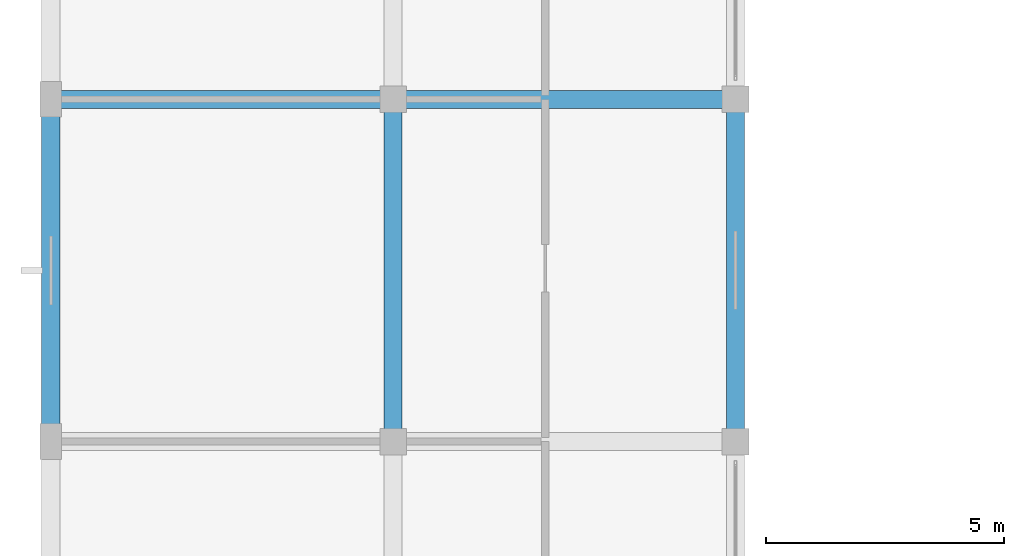
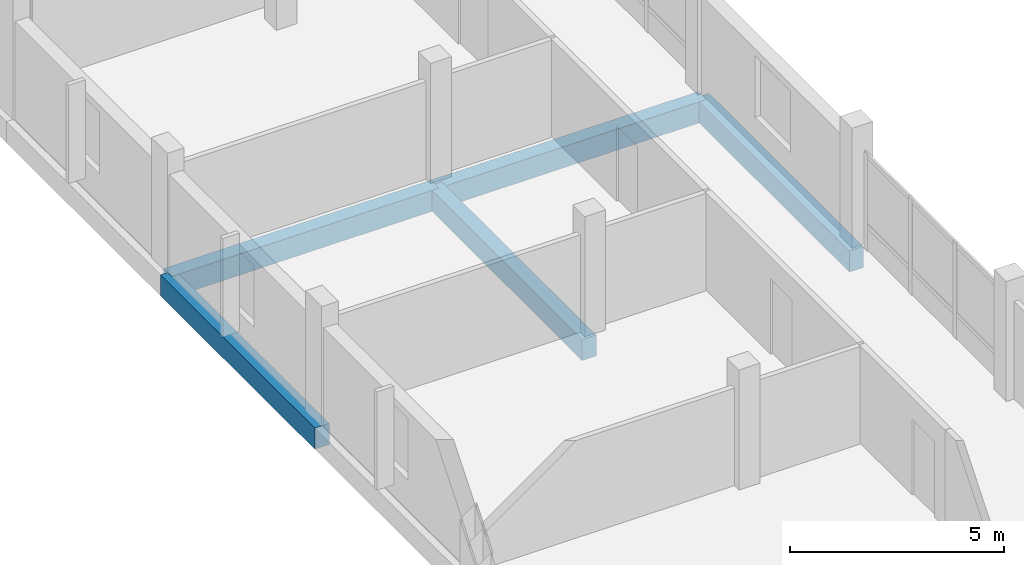
# One storey, part 6 of 84: 5 beams.
"""IFC4 building model written with IfcOpenShell, lengths in metres."""

from ifc_helpers import new_model, si_unit, direction, frame, origin, origin_2d, place, context, subcontext, project, spatial, rectangle, extrude, material, material_profile, profile_set, type_object, element, save


model = new_model("IFC4")

# Units and contexts
model_context = context("Model", 3, precision=1e-05, world=origin(), true_north=direction((0.0, 1.0)))
body_context = subcontext(model_context, "Body", "Model", "MODEL_VIEW")
ifc_project = project(units=[si_unit("LENGTHUNIT", "METRE"), si_unit("AREAUNIT", "SQUARE_METRE"), si_unit("VOLUMEUNIT", "CUBIC_METRE"), si_unit("PLANEANGLEUNIT", "RADIAN"), si_unit("MASSUNIT", "GRAM", prefix="KILO")], contexts=[model_context])

# Site, building, storey
site_placement = place(None, origin())
site = spatial("IfcSite", under=ifc_project, at=site_placement, CompositionType="ELEMENT")
building_placement = place(site_placement, origin())
building = spatial("IfcBuilding", under=site, at=building_placement, Name="Zornivar Specialist Clinic", CompositionType="ELEMENT")
storey_placement = place(building_placement, frame((0.0, 0.0, 12.300048828125)))
storey = spatial("IfcBuildingStorey", under=building, at=storey_placement, Name="L03", CompositionType="ELEMENT", Elevation=12.300048828125)

# Beams
ifc_material_1 = material(Name="Concrete C30/37", Category="concrete")
ifc_material_profile_1 = material_profile(ifc_material_1, rectangle(XDim=0.3798828125, YDim=0.60009765625, at=origin_2d()), Name="RC 380x600")
ifc_profile_set_1 = profile_set([ifc_material_profile_1], Name="Concrete C30/37")
beam_type_1 = type_object("IfcBeamType", Name="BM-RC-380x600", PredefinedType="BEAM", material=ifc_profile_set_1)
for number, where, z_axis, x_axis, name in (
    (1, (0.0, 28.800048828125, -0.580078125), (1.0, 0.0, 0.0), (0.0, 1.0, 0.0), "bm:V2:L03:x:288:0"),
    (2, (7.199951171875, 28.800048828125, -0.580078125), (1.0, 0.0, 0.0), (0.0, 1.0, 0.0), "bm:V2:L03:x:288:1"),
    (3, (7.199951171875, 21.60009765625, -0.580078125), (0.0, 1.0, 0.0), (-1.0, 0.0, 0.0), "bm:V2:L03:y:72:3"),
    (4, (14.39990234375, 21.60009765625, -0.580078125), (0.0, 1.0, 0.0), (-1.0, 0.0, 0.0), "bm:V2:L03:y:144:3"),
):
    element("IfcBeam", number, at=place(storey_placement, frame(where, z_axis=z_axis, x_axis=x_axis)), inside=storey, type_object=beam_type_1, Name=name, PredefinedType="BEAM", context=body_context, shape_type="SweptSolid", body=[
        extrude(rectangle(XDim=0.3798828125, YDim=0.60009765625, at=origin_2d()), origin(), (0.0, 0.0, 1.0), 7.199951171875),
    ])
ifc_material_2 = material(Name="Concrete C30/37", Category="concrete")
ifc_material_profile_2 = material_profile(ifc_material_2, rectangle(XDim=0.389892578125, YDim=0.60009765625, at=origin_2d()), Name="RC 390x600")
ifc_profile_set_2 = profile_set([ifc_material_profile_2], Name="Concrete C30/37")
beam_type_2 = type_object("IfcBeamType", Name="BM-RC-SPANDREL-390x600", PredefinedType="SPANDREL", material=ifc_profile_set_2)
beam_placement = place(storey_placement, frame((0.0, 21.60009765625, -0.580078125), z_axis=(0.0, 1.0, 0.0), x_axis=(-1.0, 0.0, 0.0)))
element("IfcBeam", 5, at=beam_placement, inside=storey, type_object=beam_type_2, Name="bm:V2:L03:y:0:3", PredefinedType="SPANDREL", context=body_context, shape_type="SweptSolid", body=[
    extrude(rectangle(XDim=0.389892578125, YDim=0.60009765625, at=origin_2d()), origin(), (0.0, 0.0, 1.0), 7.199951171875),
])

save(model, "model.ifc")
